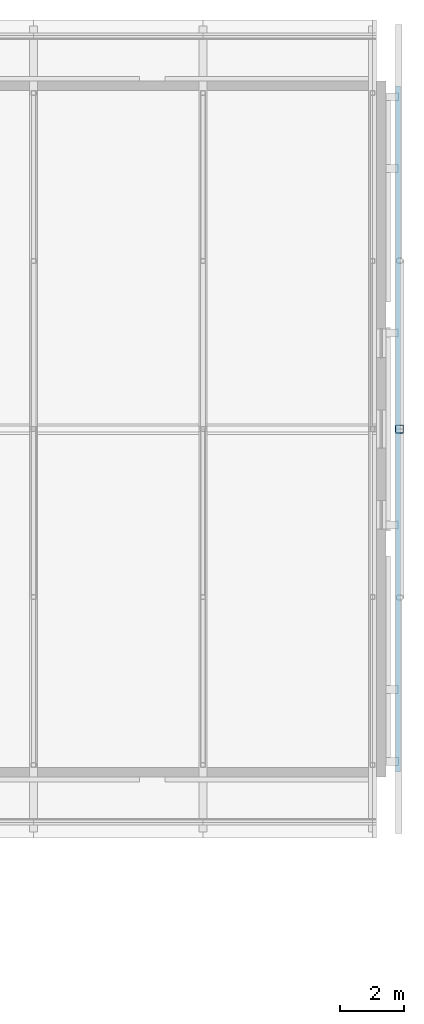
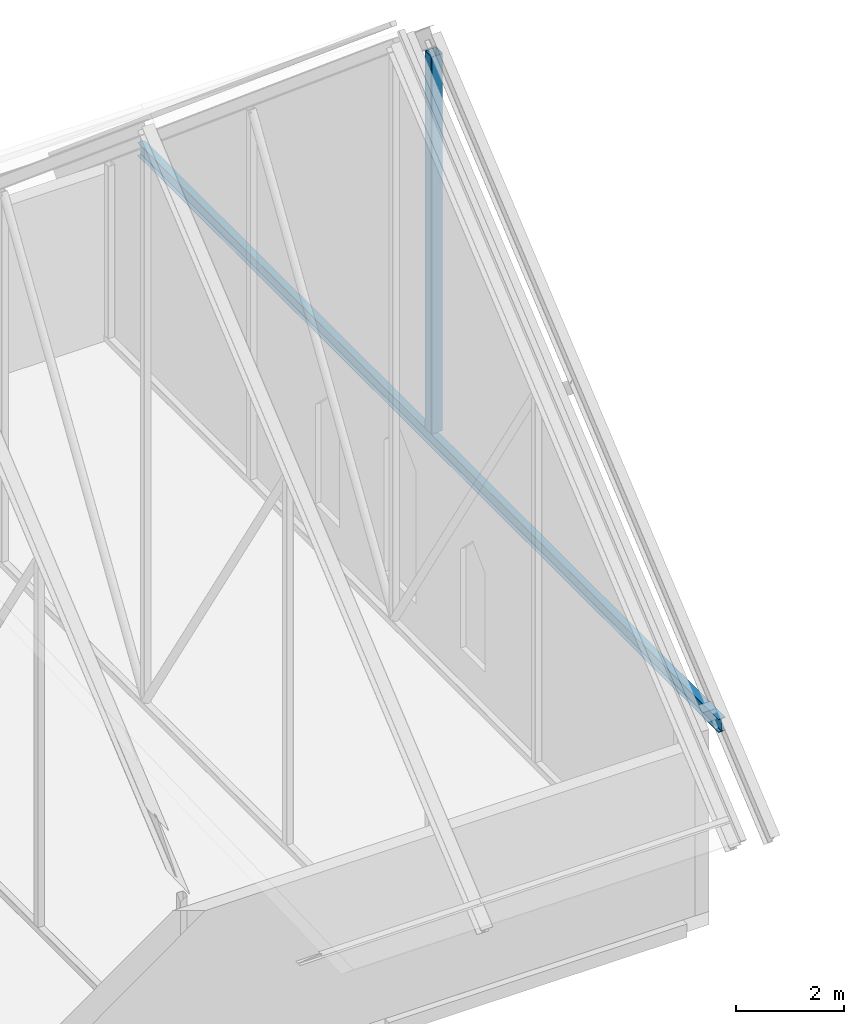
# One storey, part 16 of 29: 2 members.
"""IFC4 building model written with IfcOpenShell, lengths in metres."""

from ifc_helpers import new_model, si_unit, direction, frame, origin, origin_2d, place, context, subcontext, project, spatial, hollow_rectangle, i_section, extrude, material, material_profile, profile_set, type_object, element, save


model = new_model("IFC4")

# Units and contexts
model_context = context("Model", 3, precision=1e-05, world=origin(), true_north=direction((0.0, 1.0)))
body_context = subcontext(model_context, "Body", "Model", "MODEL_VIEW")
ifc_project = project(units=[si_unit("LENGTHUNIT", "METRE"), si_unit("AREAUNIT", "SQUARE_METRE"), si_unit("VOLUMEUNIT", "CUBIC_METRE"), si_unit("PLANEANGLEUNIT", "RADIAN"), si_unit("MASSUNIT", "GRAM", prefix="KILO")], contexts=[model_context])

# Site, building, storey
site_placement = place(None, origin())
site = spatial("IfcSite", under=ifc_project, at=site_placement, CompositionType="ELEMENT")
building_placement = place(site_placement, origin())
building = spatial("IfcBuilding", under=site, at=building_placement, Name="Silangan Lancet Faculty of Sciences", CompositionType="ELEMENT")
storey_placement = place(building_placement, frame((0.0, 0.0, 54.300048828125)))
storey = spatial("IfcBuildingStorey", under=building, at=storey_placement, Name="L11", CompositionType="ELEMENT", Elevation=54.300048828125)

# Members
ifc_material_1 = material(Name="Steel SS400", Category="steel")
ifc_material_profile_1 = material_profile(ifc_material_1, i_section(OverallWidth=0.14990234375, OverallDepth=0.300048828125, WebThickness=0.006591796875, FlangeThickness=0.009033203125, FilletRadius=0.012939453125, at=origin_2d()), Name="H 300x150x6.5x9")
ifc_profile_set_1 = profile_set([ifc_material_profile_1], Name="Steel SS400")
member_type_1 = type_object("IfcMemberType", Name="Canopy rafter H 300x150x6.5x9", PredefinedType="RAFTER", material=ifc_profile_set_1)
member_1_placement = place(storey_placement, frame((29.324951171875, 36.010498046875, 4.0), z_axis=(0.0, 1.0, 0.0), x_axis=(-1.0, 0.0, 0.0)))
element("IfcMember", 1, at=member_1_placement, inside=storey, type_object=member_type_1, Name="Gable truss tie", PredefinedType="RAFTER", context=body_context, shape_type="SweptSolid", body=[
    extrude(i_section(OverallWidth=0.14990234375, OverallDepth=0.300048828125, WebThickness=0.006591796875, FlangeThickness=0.009033203125, FilletRadius=0.012939453125, at=origin_2d()), origin(), (0.0, 0.0, 1.0), 21.5791015625),
])
ifc_material_2 = material(Name="Steel STKR400", Category="steel")
ifc_material_profile_2 = material_profile(ifc_material_2, hollow_rectangle(XDim=0.25, YDim=0.25, WallThickness=0.009033203125, InnerFilletRadius=0.009033203125, OuterFilletRadius=0.01806640625, at=origin_2d()), Name="SHS 250x250x9.0")
ifc_profile_set_2 = profile_set([ifc_material_profile_2], Name="Steel STKR400")
member_type_2 = type_object("IfcMemberType", Name="Gable truss post SHS 250x250x9.0", PredefinedType="POST", material=ifc_profile_set_2)
member_2_placement = place(storey_placement, frame((29.375, 46.800048828125, 4.14990234375), z_axis=(0.0, 0.0, 1.0), x_axis=(1.0, 0.0, 0.0)))
element("IfcMember", 2, at=member_2_placement, inside=storey, type_object=member_type_2, Name="Gable truss king post", PredefinedType="POST", context=body_context, shape_type="SweptSolid", body=[
    extrude(hollow_rectangle(XDim=0.25, YDim=0.25, WallThickness=0.009033203125, InnerFilletRadius=0.009033203125, OuterFilletRadius=0.01806640625, at=origin_2d()), origin(), (0.0, 0.0, 1.0), 8.547119140625),
])

save(model, "model.ifc")
